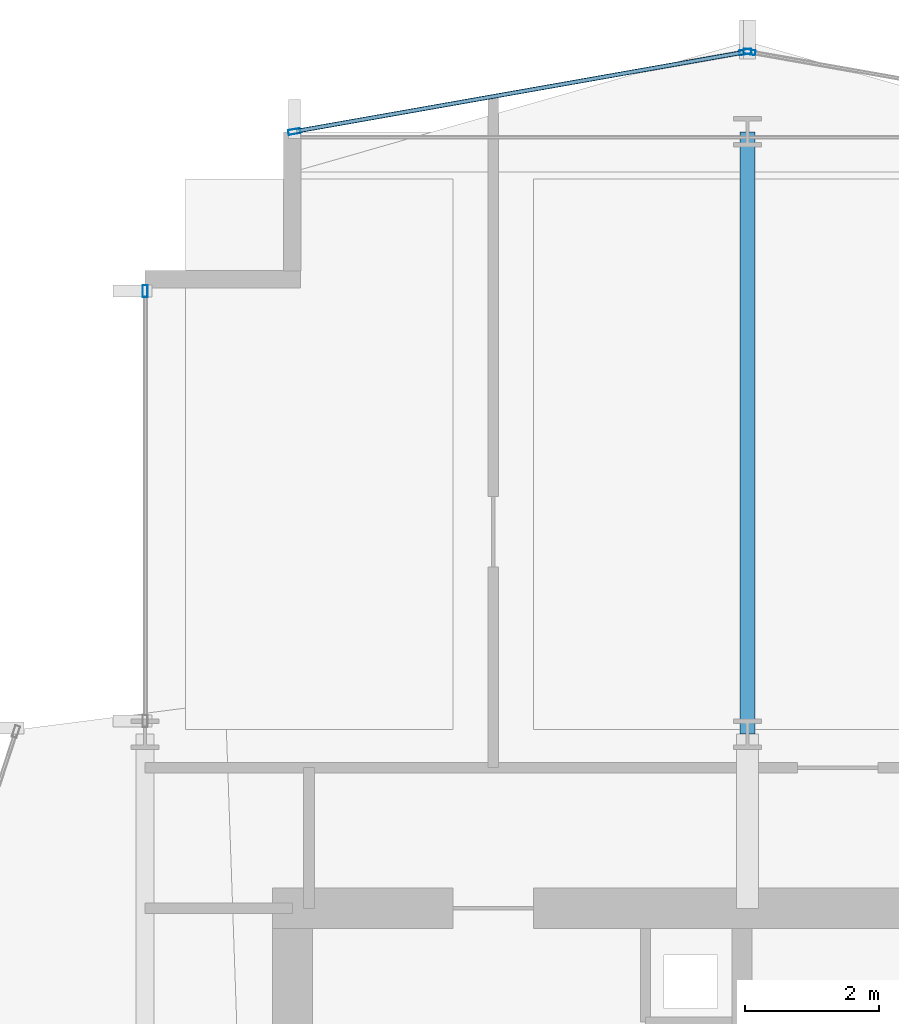
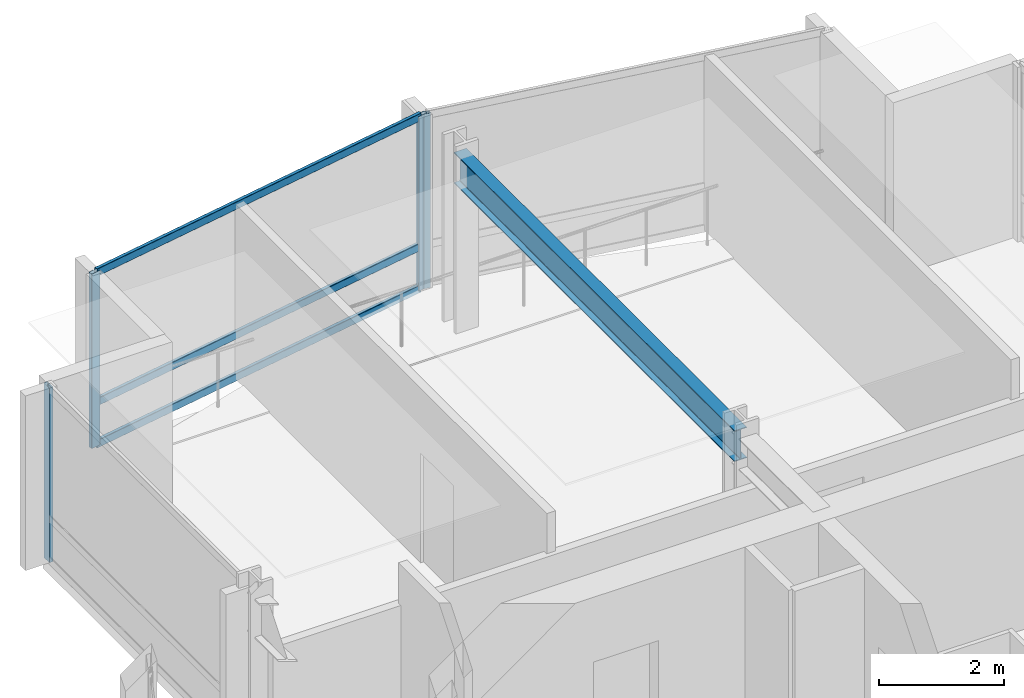
# One storey, part 19 of 29: 7 members, 1 beam, 3 elements without a shape of their own.
"""IFC4 building model written with IfcOpenShell, lengths in metres."""

from ifc_helpers import new_model, si_unit, direction, frame, origin, origin_2d, place, context, subcontext, project, spatial, hollow_rectangle, i_section, extrude, material, layer, layer_set, material_profile, profile_set, type_object, element, aggregate, save


model = new_model("IFC4")

# Units and contexts
model_context = context("Model", 3, precision=1e-05, world=origin(), true_north=direction((0.0, 1.0)))
body_context = subcontext(model_context, "Body", "Model", "MODEL_VIEW")
ifc_project = project(units=[si_unit("LENGTHUNIT", "METRE"), si_unit("AREAUNIT", "SQUARE_METRE"), si_unit("VOLUMEUNIT", "CUBIC_METRE"), si_unit("PLANEANGLEUNIT", "RADIAN"), si_unit("MASSUNIT", "GRAM", prefix="KILO")], contexts=[model_context])

# Site, building, storey
site_placement = place(None, origin())
site = spatial("IfcSite", under=ifc_project, at=site_placement, CompositionType="ELEMENT")
building_placement = place(site_placement, origin())
building = spatial("IfcBuilding", under=site, at=building_placement, Name="Solvaryn Broadcast Tower", CompositionType="ELEMENT")
storey_placement = place(building_placement, frame((0.0, 0.0, 121.10009765625)))
storey = spatial("IfcBuildingStorey", under=building, at=storey_placement, Name="L29", CompositionType="ELEMENT", Elevation=121.10009765625)

# Beam
ifc_material_1 = material(Name="Steel ASTM A992 Grade 50", Category="steel")
ifc_material_profile_1 = material_profile(ifc_material_1, i_section(OverallWidth=0.22802734375, OverallDepth=0.60791015625, WebThickness=0.01123046875, FlangeThickness=0.017333984375, FilletRadius=0.014892578125, at=origin_2d()))
ifc_profile_set_1 = profile_set([ifc_material_profile_1], Name="Steel ASTM A992 Grade 50")
beam_type = type_object("IfcBeamType", Name="BM-B2-W24X76", PredefinedType="BEAM", material=ifc_profile_set_1)
beam_placement = place(storey_placement, frame((18.0, 45.0, 3.115966796875), z_axis=(0.0, 1.0, 0.0), x_axis=(-1.0, 0.0, 0.0)))
element("IfcBeam", 1, at=beam_placement, inside=storey, type_object=beam_type, Name="L29 Primary Beam Y (45-54 @ X=18)", PredefinedType="BEAM", context=body_context, shape_type="SweptSolid", body=[
    extrude(i_section(OverallWidth=0.22802734375, OverallDepth=0.60791015625, WebThickness=0.01123046875, FlangeThickness=0.017333984375, FilletRadius=0.014892578125, at=origin_2d()), origin(), (0.0, 0.0, 1.0), 9.0),
])

# Curtain wall, member
ifc_material_2 = material(Name="Aluminium and Terracotta Unitised Curtain Wall", Category="masonry")
ifc_layer = layer(ifc_material_2, 0.199951171875)
ifc_layer_set = layer_set([ifc_layer], Name="CW-SYS2-LOWMID")
curtain_wall_type = type_object("IfcCurtainWallType", Name="CW-SYS2-LOWMID", PredefinedType="NOTDEFINED", material=ifc_layer_set)
curtain_wall_1_placement = place(storey_placement, origin())
curtain_wall_1 = element("IfcCurtainWall", 2, at=curtain_wall_1_placement, inside=storey, type_object=curtain_wall_type, Name="L29 Curtain Wall W2", PredefinedType="NOTDEFINED")
ifc_material_3 = material(Name="Anodised Aluminium 6063-T6", Category="aluminium")
ifc_material_profile_2 = material_profile(ifc_material_3, hollow_rectangle(XDim=0.074951171875, YDim=0.179931640625, WallThickness=0.00390625, InnerFilletRadius=0.00390625, OuterFilletRadius=0.008056640625, at=origin_2d()))
ifc_profile_set_2 = profile_set([ifc_material_profile_2], Name="Anodised Aluminium 6063-T6")
member_type_1 = type_object("IfcMemberType", Name="CW-MUL-180", PredefinedType="MULLION", material=ifc_profile_set_2)
member_1_placement = place(storey_placement, frame((9.0, 51.6201171875, 0.0), z_axis=(0.0, 0.0, 1.0), x_axis=(-1.0, 0.0, 0.0)))
member_1 = element("IfcMember", 3, at=member_1_placement, type_object=member_type_1, Name="CWS2 mullion 2", PredefinedType="MULLION", context=body_context, shape_type="SweptSolid", body=[
    extrude(hollow_rectangle(XDim=0.074951171875, YDim=0.179931640625, WallThickness=0.00390625, InnerFilletRadius=0.00390625, OuterFilletRadius=0.008056640625, at=origin_2d()), origin(), (0.0, 0.0, 1.0), 3.419921875),
])
aggregate(curtain_wall_1, [member_1])

curtain_wall_2_placement = place(storey_placement, origin())
curtain_wall_2 = element("IfcCurtainWall", 4, at=curtain_wall_2_placement, inside=storey, type_object=curtain_wall_type, Name="L29 Curtain Wall NT1", PredefinedType="NOTDEFINED")
member_2_placement = place(storey_placement, frame((18.029541015625, 55.19482421875, 0.0), z_axis=(0.0, 0.0, 1.0), x_axis=(-0.173785333901, -0.984783558819, 0.0)))
member_2 = element("IfcMember", 5, at=member_2_placement, type_object=member_type_1, Name="CWS2 mullion 2", PredefinedType="MULLION", context=body_context, shape_type="SweptSolid", body=[
    extrude(hollow_rectangle(XDim=0.074951171875, YDim=0.179931640625, WallThickness=0.00390625, InnerFilletRadius=0.00390625, OuterFilletRadius=0.008056640625, at=origin_2d()), origin(), (0.0, 0.0, 1.0), 3.419921875),
])
aggregate(curtain_wall_2, [member_2])

# Curtain wall, members
curtain_wall_3_placement = place(storey_placement, origin())
curtain_wall_3 = element("IfcCurtainWall", 6, at=curtain_wall_3_placement, inside=storey, type_object=curtain_wall_type, Name="L29 Curtain Wall NT2", PredefinedType="NOTDEFINED")
member_3_placement = place(storey_placement, frame((17.970458984375, 55.19482421875, 0.0), z_axis=(0.0, 0.0, 1.0), x_axis=(0.173785333901, -0.984783558819, 0.0)))
member_3 = element("IfcMember", 7, at=member_3_placement, type_object=member_type_1, Name="CWS2 mullion 1", PredefinedType="MULLION", context=body_context, shape_type="SweptSolid", body=[
    extrude(hollow_rectangle(XDim=0.074951171875, YDim=0.179931640625, WallThickness=0.00390625, InnerFilletRadius=0.00390625, OuterFilletRadius=0.008056640625, at=origin_2d()), origin(), (0.0, 0.0, 1.0), 3.419921875),
])
member_4_placement = place(storey_placement, frame((11.2294921875, 54.005126953125, 0.0), z_axis=(0.0, 0.0, 1.0), x_axis=(0.173785333901, -0.984783558819, 0.0)))
member_4 = element("IfcMember", 8, at=member_4_placement, type_object=member_type_1, Name="CWS2 mullion 2", PredefinedType="MULLION", context=body_context, shape_type="SweptSolid", body=[
    extrude(hollow_rectangle(XDim=0.074951171875, YDim=0.179931640625, WallThickness=0.00390625, InnerFilletRadius=0.00390625, OuterFilletRadius=0.008056640625, at=origin_2d()), origin(), (0.0, 0.0, 1.0), 3.419921875),
])
ifc_material_4 = material(Name="Anodised Aluminium 6063-T6", Category="aluminium")
ifc_material_profile_3 = material_profile(ifc_material_4, hollow_rectangle(XDim=0.06494140625, YDim=0.14990234375, WallThickness=0.00390625, InnerFilletRadius=0.00390625, OuterFilletRadius=0.008056640625, at=origin_2d()))
ifc_profile_set_3 = profile_set([ifc_material_profile_3], Name="Anodised Aluminium 6063-T6")
member_type_2 = type_object("IfcMemberType", Name="CW-TRN-150", PredefinedType="USERDEFINED", material=ifc_profile_set_3)
member_5_placement = place(storey_placement, frame((17.94091796875, 55.189453125, 0.02978515625), z_axis=(-0.984788629673, -0.173756596613, 0.0), x_axis=(0.173756596613, -0.984788629673, 0.0)))
member_5 = element("IfcMember", 9, at=member_5_placement, type_object=member_type_2, Name="CWS2 transom 1.1", ObjectType="TRANSOM", PredefinedType="USERDEFINED", context=body_context, shape_type="SweptSolid", body=[
    extrude(hollow_rectangle(XDim=0.06494140625, YDim=0.14990234375, WallThickness=0.00390625, InnerFilletRadius=0.00390625, OuterFilletRadius=0.008056640625, at=origin_2d()), origin(), (0.0, 0.0, 1.0), 6.78515625),
])
member_6_placement = place(storey_placement, frame((17.94091796875, 55.189453125, 0.849853515625), z_axis=(-0.984788629673, -0.173756596613, 0.0), x_axis=(0.173756596613, -0.984788629673, 0.0)))
member_6 = element("IfcMember", 10, at=member_6_placement, type_object=member_type_2, Name="CWS2 transom 1.2", ObjectType="TRANSOM", PredefinedType="USERDEFINED", context=body_context, shape_type="SweptSolid", body=[
    extrude(hollow_rectangle(XDim=0.06494140625, YDim=0.14990234375, WallThickness=0.00390625, InnerFilletRadius=0.00390625, OuterFilletRadius=0.008056640625, at=origin_2d()), origin(), (0.0, 0.0, 1.0), 6.78515625),
])
member_7_placement = place(storey_placement, frame((17.94091796875, 55.189453125, 3.389892578125), z_axis=(-0.984788629673, -0.173756596613, 0.0), x_axis=(0.173756596613, -0.984788629673, 0.0)))
member_7 = element("IfcMember", 11, at=member_7_placement, type_object=member_type_2, Name="CWS2 transom 1.3", ObjectType="TRANSOM", PredefinedType="USERDEFINED", context=body_context, shape_type="SweptSolid", body=[
    extrude(hollow_rectangle(XDim=0.06494140625, YDim=0.14990234375, WallThickness=0.00390625, InnerFilletRadius=0.00390625, OuterFilletRadius=0.008056640625, at=origin_2d()), origin(), (0.0, 0.0, 1.0), 6.78515625),
])
aggregate(curtain_wall_3, [member_3, member_4, member_5, member_6, member_7])

save(model, "model.ifc")
